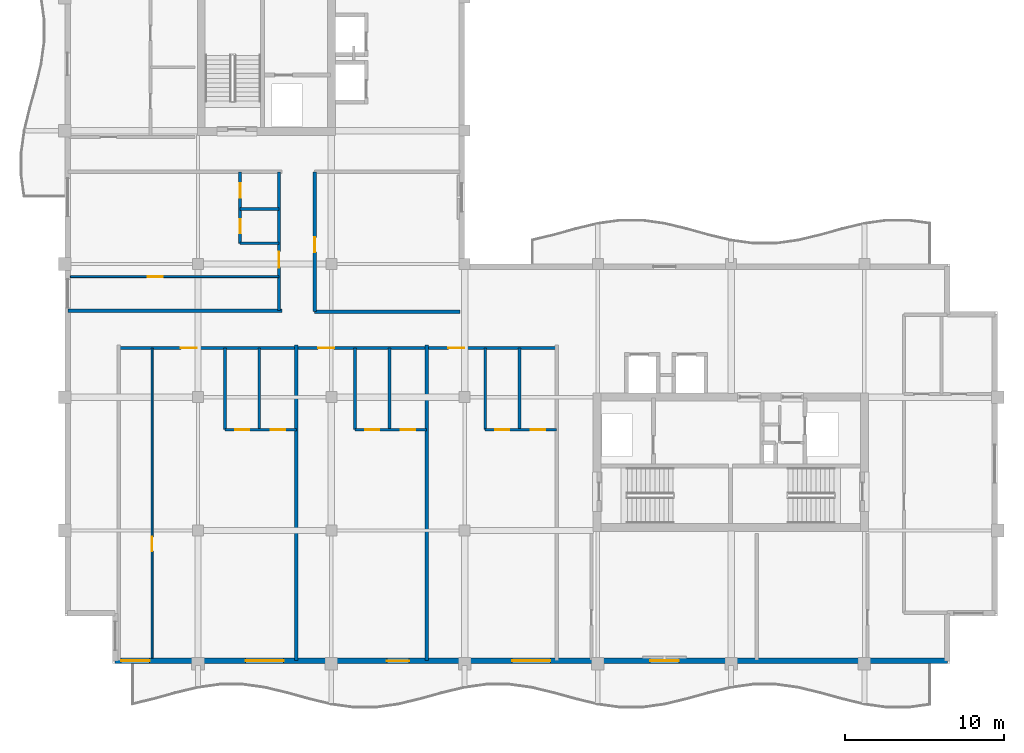
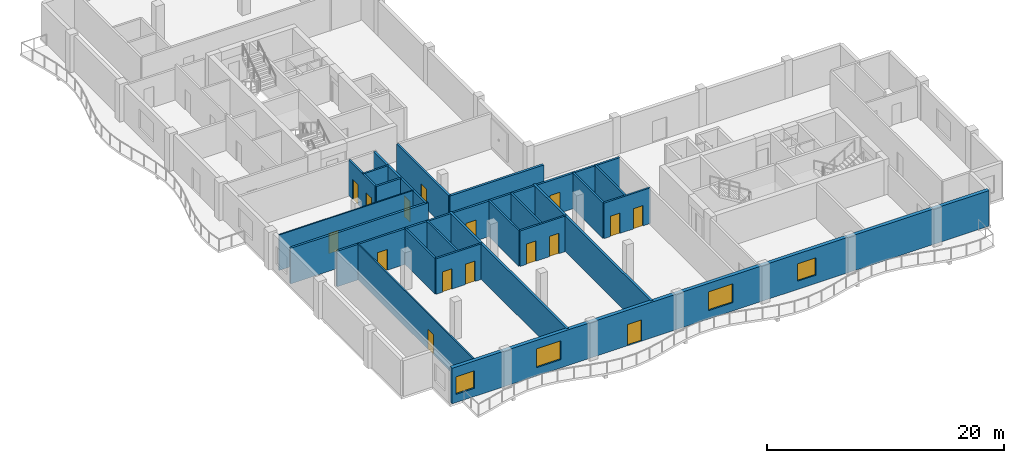
# One storey, part 3 of 11: 22 walls, 16 doors, 4 windows, 20 openings.
"""IFC4 building model written with IfcOpenShell, lengths in metres."""

from ifc_helpers import new_model, si_unit, direction, frame, frame_2d, origin, place, context, subcontext, project, spatial, rectangle, extrude, material, layer, layer_set, type_object, element, fill, save


model = new_model("IFC4")

# Units and contexts
model_context = context("Model", 3, precision=1e-05, world=origin(), true_north=direction((0.0, 1.0)))
body_context = subcontext(model_context, "Body", "Model", "MODEL_VIEW")
ifc_project = project(units=[si_unit("LENGTHUNIT", "METRE"), si_unit("AREAUNIT", "SQUARE_METRE"), si_unit("VOLUMEUNIT", "CUBIC_METRE"), si_unit("PLANEANGLEUNIT", "RADIAN"), si_unit("MASSUNIT", "GRAM", prefix="KILO")], contexts=[model_context])

# Site, building, storey
site_placement = place(None, origin())
site = spatial("IfcSite", under=ifc_project, at=site_placement, CompositionType="ELEMENT")
building_placement = place(site_placement, origin())
building = spatial("IfcBuilding", under=site, at=building_placement, Name="Koriwani Terraces Tower", CompositionType="ELEMENT")
storey_placement = place(building_placement, frame((0.0, 0.0, 312.5)))
storey = spatial("IfcBuildingStorey", under=building, at=storey_placement, Name="L77", CompositionType="ELEMENT", Elevation=312.5)

# Wall, opening, door
ifc_material_1 = material(Name="Autoclaved Cellular Concrete Blockwork", Category="masonry")
ifc_layer_1 = layer(ifc_material_1, 0.199951171875, Name="Autoclaved Cellular Concrete Blockwork")
ifc_layer_set_1 = layer_set([ifc_layer_1], Name="Autoclaved Cellular Concrete Blockwork")
wall_type_1 = type_object("IfcWallType", Name="WALL_CORRIDOR_200", PredefinedType="PARTITIONING", material=ifc_layer_set_1)
wall_1_placement = place(storey_placement, frame((24.14990234375, 30.60009765625, 0.0), z_axis=(0.0, 0.0, 1.0), x_axis=(0.0, 1.0, 0.0)))
wall_1 = element("IfcWall", 1, at=wall_1_placement, inside=storey, type_object=wall_type_1, Name="L77 Interior Wall WIC4W-L77", PredefinedType="PARTITIONING", context=body_context, shape_type="SweptSolid", body=[
    extrude(rectangle(XDim=8.7998046875, YDim=0.199951171875, at=frame_2d((4.39990234375, 0.0))), origin(), (0.0, 0.0, 1.0), 3.669921875),
])
opening_1_placement = place(wall_1_placement, frame((3.75, 0.0, 0.0)))
opening_1 = element("IfcOpeningElement", 2, at=opening_1_placement, cuts=wall_1, Name="Opening D-06", PredefinedType="OPENING", context=body_context, shape_type="SweptSolid", body=[
    extrude(rectangle(XDim=0.919921875, YDim=2.10009765625, at=frame_2d((0.4599609375, 1.050048828125))), frame((0.0, 0.10986328125, 0.0), z_axis=(0.0, -1.0, 0.0), x_axis=(1.0, 0.0, 0.0)), (0.0, 0.0, 1.0), 0.219970703125),
])
ifc_material_2 = material(Name="Architectural Oak Fire Door", Category="wood")
door_type_1 = type_object("IfcDoorType", Name="DOOR_ROOM_INT_920X2100", OperationType="NOTDEFINED", PredefinedType="DOOR", material=ifc_material_2)
door_1_placement = place(opening_1_placement, origin())
door_1 = element("IfcDoor", 3, at=door_1_placement, inside=storey, type_object=door_type_1, Name="L77 High-Rise Court Study Door", OperationType="SINGLE_SWING_LEFT", OverallHeight=2.10009765625, OverallWidth=0.919921875, PredefinedType="DOOR", context=body_context, shape_type="SweptSolid", body=[
    extrude(rectangle(XDim=0.919921875, YDim=2.10009765625, at=frame_2d((0.4599609375, 1.050048828125))), frame((0.0, 0.02490234375, 0.0), z_axis=(0.0, -1.0, 0.0), x_axis=(1.0, 0.0, 0.0)), (0.0, 0.0, 1.0), 0.050048828125),
])
fill(opening_1, door_1)

# Wall, openings, doors
wall_2_placement = place(storey_placement, frame((11.800048828125, 28.300048828125, 0.0), z_axis=(0.0, 0.0, 1.0), x_axis=(1.0, 0.0, 0.0)))
wall_2 = element("IfcWall", 4, at=wall_2_placement, inside=storey, type_object=wall_type_1, Name="L77 Interior Wall WRCOR-L77-SW-0", PredefinedType="PARTITIONING", context=body_context, shape_type="SweptSolid", body=[
    extrude(rectangle(XDim=27.599853515625, YDim=0.199951171875, at=frame_2d((13.7998046875, 0.0))), origin(), (0.0, 0.0, 1.0), 3.669921875),
])
opening_2_placement = place(wall_2_placement, frame((3.919921875, 0.0, 0.0)))
opening_2 = element("IfcOpeningElement", 5, at=opening_2_placement, cuts=wall_2, Name="Opening D-05", PredefinedType="OPENING", context=body_context, shape_type="SweptSolid", body=[
    extrude(rectangle(XDim=1.0, YDim=2.14990234375, at=frame_2d((0.5, 1.074951171875))), frame((0.0, 0.10986328125, 0.0), z_axis=(0.0, -1.0, 0.0), x_axis=(1.0, 0.0, 0.0)), (0.0, 0.0, 1.0), 0.219970703125),
])
opening_3_placement = place(wall_2_placement, frame((12.570068359375, 0.0, 0.0)))
opening_3 = element("IfcOpeningElement", 6, at=opening_3_placement, cuts=wall_2, Name="Opening D-05", PredefinedType="OPENING", context=body_context, shape_type="SweptSolid", body=[
    extrude(rectangle(XDim=1.0, YDim=2.14990234375, at=frame_2d((0.5, 1.074951171875))), frame((0.0, 0.10986328125, 0.0), z_axis=(0.0, -1.0, 0.0), x_axis=(1.0, 0.0, 0.0)), (0.0, 0.0, 1.0), 0.219970703125),
])
opening_4_placement = place(wall_2_placement, frame((20.77001953125, 0.0, 0.0)))
opening_4 = element("IfcOpeningElement", 7, at=opening_4_placement, cuts=wall_2, Name="Opening D-05", PredefinedType="OPENING", context=body_context, shape_type="SweptSolid", body=[
    extrude(rectangle(XDim=1.0, YDim=2.14990234375, at=frame_2d((0.5, 1.074951171875))), frame((0.0, 0.10986328125, 0.0), z_axis=(0.0, -1.0, 0.0), x_axis=(1.0, 0.0, 0.0)), (0.0, 0.0, 1.0), 0.219970703125),
])
door_type_2 = type_object("IfcDoorType", Name="DOOR_SUITE_ENTRY_1000X2150", OperationType="NOTDEFINED", PredefinedType="DOOR", material=ifc_material_2)
door_2_placement = place(opening_2_placement, origin())
door_2 = element("IfcDoor", 8, at=door_2_placement, inside=storey, type_object=door_type_2, Name="Apartment 77SW1 Entrance Door", OperationType="SINGLE_SWING_RIGHT", OverallHeight=2.14990234375, OverallWidth=1.0, PredefinedType="DOOR", context=body_context, shape_type="SweptSolid", body=[
    extrude(rectangle(XDim=1.0, YDim=2.14990234375, at=frame_2d((0.5, 1.074951171875))), frame((0.0, 0.02490234375, 0.0), z_axis=(0.0, -1.0, 0.0), x_axis=(1.0, 0.0, 0.0)), (0.0, 0.0, 1.0), 0.050048828125),
])
fill(opening_2, door_2)
door_3_placement = place(opening_3_placement, origin())
door_3 = element("IfcDoor", 9, at=door_3_placement, inside=storey, type_object=door_type_2, Name="Apartment 77SW2 Entrance Door", OperationType="SINGLE_SWING_RIGHT", OverallHeight=2.14990234375, OverallWidth=1.0, PredefinedType="DOOR", context=body_context, shape_type="SweptSolid", body=[
    extrude(rectangle(XDim=1.0, YDim=2.14990234375, at=frame_2d((0.5, 1.074951171875))), frame((0.0, 0.02490234375, 0.0), z_axis=(0.0, -1.0, 0.0), x_axis=(1.0, 0.0, 0.0)), (0.0, 0.0, 1.0), 0.050048828125),
])
fill(opening_3, door_3)
door_4_placement = place(opening_4_placement, origin())
door_4 = element("IfcDoor", 10, at=door_4_placement, inside=storey, type_object=door_type_2, Name="Apartment 77SW3 Entrance Door", OperationType="SINGLE_SWING_LEFT", OverallHeight=2.14990234375, OverallWidth=1.0, PredefinedType="DOOR", context=body_context, shape_type="SweptSolid", body=[
    extrude(rectangle(XDim=1.0, YDim=2.14990234375, at=frame_2d((0.5, 1.074951171875))), frame((0.0, 0.02490234375, 0.0), z_axis=(0.0, -1.0, 0.0), x_axis=(1.0, 0.0, 0.0)), (0.0, 0.0, 1.0), 0.050048828125),
])
fill(opening_4, door_4)

# Wall, opening, door
wall_3_placement = place(storey_placement, frame((21.89990234375, 30.64990234375, 0.0), z_axis=(0.0, 0.0, 1.0), x_axis=(0.0, 1.0, 0.0)))
wall_3 = element("IfcWall", 11, at=wall_3_placement, inside=storey, type_object=wall_type_1, Name="L77 Interior Wall WRCOR-L77-NE-0", PredefinedType="PARTITIONING", context=body_context, shape_type="SweptSolid", body=[
    extrude(rectangle(XDim=8.75, YDim=0.199951171875, at=frame_2d((4.375, 0.0))), origin(), (0.0, 0.0, 1.0), 3.669921875),
])
opening_5_placement = place(wall_3_placement, frame((2.719970703125, 0.0, 0.0)))
opening_5 = element("IfcOpeningElement", 12, at=opening_5_placement, cuts=wall_3, Name="Opening D-05", PredefinedType="OPENING", context=body_context, shape_type="SweptSolid", body=[
    extrude(rectangle(XDim=1.0, YDim=2.14990234375, at=frame_2d((0.5, 1.074951171875))), frame((0.0, 0.10986328125, 0.0), z_axis=(0.0, -1.0, 0.0), x_axis=(1.0, 0.0, 0.0)), (0.0, 0.0, 1.0), 0.219970703125),
])
door_5_placement = place(opening_5_placement, origin())
door_5 = element("IfcDoor", 13, at=door_5_placement, inside=storey, type_object=door_type_2, Name="Apartment 77NE1 Entrance Door", OperationType="SINGLE_SWING_RIGHT", OverallHeight=2.14990234375, OverallWidth=1.0, PredefinedType="DOOR", context=body_context, shape_type="SweptSolid", body=[
    extrude(rectangle(XDim=1.0, YDim=2.14990234375, at=frame_2d((0.5, 1.074951171875))), frame((0.0, 0.02490234375, 0.0), z_axis=(0.0, -1.0, 0.0), x_axis=(1.0, 0.0, 0.0)), (0.0, 0.0, 1.0), 0.050048828125),
])
fill(opening_5, door_5)

# Walls
ifc_layer_2 = layer(ifc_material_1, 0.219970703125, Name="Autoclaved Cellular Concrete Blockwork")
ifc_layer_set_2 = layer_set([ifc_layer_2], Name="Autoclaved Cellular Concrete Blockwork")
wall_type_2 = type_object("IfcWallType", Name="WALL_DEMISING_220", PredefinedType="PARTITIONING", material=ifc_layer_set_2)
wall_4_placement = place(storey_placement, frame((24.14990234375, 30.60009765625, 0.0), z_axis=(0.0, 0.0, 1.0), x_axis=(1.0, 0.0, 0.0)))
element("IfcWall", 14, at=wall_4_placement, inside=storey, type_object=wall_type_2, Name="L77 Interior Wall WIC4WS-L77", PredefinedType="PARTITIONING", context=body_context, shape_type="SweptSolid", body=[
    extrude(rectangle(XDim=9.150146484375, YDim=0.219970703125, at=frame_2d((4.5751953125, 0.0))), origin(), (0.0, 0.0, 1.0), 3.669921875),
])
for number, where, z_axis, x_axis, name in (
    (15, (23.0, 8.60009765625, 0.0), (0.0, 0.0, 1.0), (0.0, 1.0, 0.0), "L77 Interior Wall WRDEM-L77-SW-1"),
    (16, (31.199951171875, 8.60009765625, 0.0), (0.0, 0.0, 1.0), (0.0, 1.0, 0.0), "L77 Interior Wall WRDEM-L77-SW-2"),
):
    element("IfcWall", number, at=place(storey_placement, frame(where, z_axis=z_axis, x_axis=x_axis)), inside=storey, type_object=wall_type_2, Name=name, PredefinedType="PARTITIONING", context=body_context, shape_type="SweptSolid", body=[
        extrude(rectangle(XDim=19.8798828125, YDim=0.219970703125, at=frame_2d((9.93994140625, 0.0))), origin(), (0.0, 0.0, 1.0), 3.669921875),
    ])
wall_5_placement = place(storey_placement, frame((8.60009765625, 30.64990234375, 0.0), z_axis=(0.0, 0.0, 1.0), x_axis=(1.0, 0.0, 0.0)))
element("IfcWall", 17, at=wall_5_placement, inside=storey, type_object=wall_type_2, Name="L77 Interior Wall WRDEM-L77-NE-0", PredefinedType="PARTITIONING", context=body_context, shape_type="SweptSolid", body=[
    extrude(rectangle(XDim=13.47998046875, YDim=0.219970703125, at=frame_2d((6.739990234375, 0.0))), origin(), (0.0, 0.0, 1.0), 3.669921875),
])

# Wall, openings, door, windows
ifc_material_3 = material(Name="Concrete C50/60", Category="concrete")
ifc_layer_3 = layer(ifc_material_3, 0.35009765625, Name="Concrete C50/60")
ifc_layer_set_3 = layer_set([ifc_layer_3], Name="Concrete C50/60")
wall_type_3 = type_object("IfcWallType", Name="WALL_EXT_BRUTALIST_350", PredefinedType="STANDARD", material=ifc_layer_set_3)
wall_6_placement = place(storey_placement, frame((64.02490234375, 8.574951171875, 0.0), z_axis=(0.0, 0.0, 1.0), x_axis=(-1.0, 0.0, 0.0)))
wall_6 = element("IfcWall", 18, at=wall_6_placement, inside=storey, type_object=wall_type_3, Name="L77 Fair-Faced Brutalist Exterior Wall (S)", PredefinedType="STANDARD", context=body_context, shape_type="SweptSolid", body=[
    extrude(rectangle(XDim=52.449951171875, YDim=0.35009765625, at=frame_2d((26.22509765625, 0.0))), origin(), (0.0, 0.0, 1.0), 3.669921875),
])
opening_6_placement = place(wall_6_placement, frame((33.925048828125, 0.0, 0.0)))
opening_6 = element("IfcOpeningElement", 19, at=opening_6_placement, cuts=wall_6, Name="Opening D-09", PredefinedType="OPENING", context=body_context, shape_type="SweptSolid", body=[
    extrude(rectangle(XDim=1.39990234375, YDim=2.199951171875, at=frame_2d((0.699951171875, 1.10009765625))), frame((0.0, 0.18505859375, 0.0), z_axis=(0.0, -1.0, 0.0), x_axis=(1.0, 0.0, 0.0)), (0.0, 0.0, 1.0), 0.3701171875),
])
opening_7_placement = place(wall_6_placement, frame((41.824951171875, 0.0, 0.85009765625)))
opening_7 = element("IfcOpeningElement", 20, at=opening_7_placement, cuts=wall_6, Name="Opening W-03", PredefinedType="OPENING", context=body_context, shape_type="SweptSolid", body=[
    extrude(rectangle(XDim=2.39990234375, YDim=1.949951171875, at=frame_2d((1.199951171875, 0.97509765625))), frame((0.0, 0.18505859375, 0.0), z_axis=(0.0, -1.0, 0.0), x_axis=(1.0, 0.0, 0.0)), (0.0, 0.0, 1.0), 0.3701171875),
])
opening_8_placement = place(wall_6_placement, frame((25.02490234375, 0.0, 0.85009765625)))
opening_8 = element("IfcOpeningElement", 21, at=opening_8_placement, cuts=wall_6, Name="Opening W-03", PredefinedType="OPENING", context=body_context, shape_type="SweptSolid", body=[
    extrude(rectangle(XDim=2.39990234375, YDim=1.949951171875, at=frame_2d((1.199951171875, 0.97509765625))), frame((0.0, 0.18505859375, 0.0), z_axis=(0.0, -1.0, 0.0), x_axis=(1.0, 0.0, 0.0)), (0.0, 0.0, 1.0), 0.3701171875),
])
opening_9_placement = place(wall_6_placement, frame((16.925048828125, 0.0, 0.85009765625)))
opening_9 = element("IfcOpeningElement", 22, at=opening_9_placement, cuts=wall_6, Name="Opening W-04", PredefinedType="OPENING", context=body_context, shape_type="SweptSolid", body=[
    extrude(rectangle(XDim=1.800048828125, YDim=1.800048828125, at=frame_2d((0.89990234375, 0.89990234375))), frame((0.0, 0.18505859375, 0.0), z_axis=(0.0, -1.0, 0.0), x_axis=(1.0, 0.0, 0.0)), (0.0, 0.0, 1.0), 0.3701171875),
])
opening_10_placement = place(wall_6_placement, frame((50.27490234375, 0.0, 0.85009765625)))
opening_10 = element("IfcOpeningElement", 23, at=opening_10_placement, cuts=wall_6, Name="Opening W-04", PredefinedType="OPENING", context=body_context, shape_type="SweptSolid", body=[
    extrude(rectangle(XDim=1.800048828125, YDim=1.800048828125, at=frame_2d((0.89990234375, 0.89990234375))), frame((0.0, 0.18505859375, 0.0), z_axis=(0.0, -1.0, 0.0), x_axis=(1.0, 0.0, 0.0)), (0.0, 0.0, 1.0), 0.3701171875),
])
ifc_material_4 = material(Name="Anodised Bronze Aluminium", Category="aluminium")
door_type_3 = type_object("IfcDoorType", Name="DOOR_BALCONY_GLAZED_1400X2200", OperationType="NOTDEFINED", PredefinedType="DOOR", material=ifc_material_4)
door_6_placement = place(opening_6_placement, origin())
door_6 = element("IfcDoor", 24, at=door_6_placement, inside=storey, type_object=door_type_3, Name="L77 South Balcony Glazed Door", OperationType="SINGLE_SWING_LEFT", OverallHeight=2.199951171875, OverallWidth=1.39990234375, PredefinedType="DOOR", context=body_context, shape_type="SweptSolid", body=[
    extrude(rectangle(XDim=1.39990234375, YDim=2.199951171875, at=frame_2d((0.699951171875, 1.10009765625))), frame((0.0, 0.02490234375, 0.0), z_axis=(0.0, -1.0, 0.0), x_axis=(1.0, 0.0, 0.0)), (0.0, 0.0, 1.0), 0.050048828125),
])
fill(opening_6, door_6)
ifc_material_5 = material(Name="Tempered Laminated Low-E Glass", Category="glass")
window_type_1 = type_object("IfcWindowType", Name="WIN_RES_BED_1800X1800", PartitioningType="DOUBLE_PANEL_VERTICAL", PredefinedType="WINDOW", material=ifc_material_5)
window_1_placement = place(opening_9_placement, origin())
window_1 = element("IfcWindow", 25, at=window_1_placement, inside=storey, type_object=window_type_1, Name="L77 Exterior Window (S-12)", OverallHeight=1.800048828125, OverallWidth=1.800048828125, PartitioningType="SINGLE_PANEL", PredefinedType="WINDOW", context=body_context, shape_type="SweptSolid", body=[
    extrude(rectangle(XDim=1.800048828125, YDim=1.800048828125, at=frame_2d((0.89990234375, 0.89990234375))), frame((0.0, 0.030029296875, 0.0), z_axis=(0.0, -1.0, 0.0), x_axis=(1.0, 0.0, 0.0)), (0.0, 0.0, 1.0), 0.06005859375),
])
fill(opening_9, window_1)
window_2_placement = place(opening_10_placement, origin())
window_2 = element("IfcWindow", 26, at=window_2_placement, inside=storey, type_object=window_type_1, Name="L77 Exterior Window (S-R33)", OverallHeight=1.800048828125, OverallWidth=1.800048828125, PartitioningType="SINGLE_PANEL", PredefinedType="WINDOW", context=body_context, shape_type="SweptSolid", body=[
    extrude(rectangle(XDim=1.800048828125, YDim=1.800048828125, at=frame_2d((0.89990234375, 0.89990234375))), frame((0.0, 0.030029296875, 0.0), z_axis=(0.0, -1.0, 0.0), x_axis=(1.0, 0.0, 0.0)), (0.0, 0.0, 1.0), 0.06005859375),
])
fill(opening_10, window_2)
window_type_2 = type_object("IfcWindowType", Name="WIN_RES_LIVING_2400X1950", PartitioningType="DOUBLE_PANEL_VERTICAL", PredefinedType="WINDOW", material=ifc_material_5)
window_3_placement = place(opening_7_placement, origin())
window_3 = element("IfcWindow", 27, at=window_3_placement, inside=storey, type_object=window_type_2, Name="L77 Exterior Window (S-3)", OverallHeight=1.949951171875, OverallWidth=2.39990234375, PartitioningType="SINGLE_PANEL", PredefinedType="WINDOW", context=body_context, shape_type="SweptSolid", body=[
    extrude(rectangle(XDim=2.39990234375, YDim=1.949951171875, at=frame_2d((1.199951171875, 0.97509765625))), frame((0.0, 0.030029296875, 0.0), z_axis=(0.0, -1.0, 0.0), x_axis=(1.0, 0.0, 0.0)), (0.0, 0.0, 1.0), 0.06005859375),
])
fill(opening_7, window_3)
window_4_placement = place(opening_8_placement, origin())
window_4 = element("IfcWindow", 28, at=window_4_placement, inside=storey, type_object=window_type_2, Name="L77 Exterior Window (S-9)", OverallHeight=1.949951171875, OverallWidth=2.39990234375, PartitioningType="SINGLE_PANEL", PredefinedType="WINDOW", context=body_context, shape_type="SweptSolid", body=[
    extrude(rectangle(XDim=2.39990234375, YDim=1.949951171875, at=frame_2d((1.199951171875, 0.97509765625))), frame((0.0, 0.030029296875, 0.0), z_axis=(0.0, -1.0, 0.0), x_axis=(1.0, 0.0, 0.0)), (0.0, 0.0, 1.0), 0.06005859375),
])
fill(opening_8, window_4)

# Wall, opening, door
ifc_material_6 = material(Name="Fire-Rated Acoustic Gypsum Partition", Category="masonry")
ifc_layer_4 = layer(ifc_material_6, 0.125, Name="Fire-Rated Acoustic Gypsum Partition")
ifc_layer_set_4 = layer_set([ifc_layer_4], Name="Fire-Rated Acoustic Gypsum Partition")
wall_type_4 = type_object("IfcWallType", Name="WALL_INT_125", PredefinedType="PARTITIONING", material=ifc_layer_set_4)
wall_7_placement = place(storey_placement, frame((13.89990234375, 8.75, 0.0), z_axis=(0.0, 0.0, 1.0), x_axis=(0.0, 1.0, 0.0)))
wall_7 = element("IfcWall", 29, at=wall_7_placement, inside=storey, type_object=wall_type_4, Name="L77 Interior Wall WRBED1-L77-SW-0", PredefinedType="PARTITIONING", context=body_context, shape_type="SweptSolid", body=[
    extrude(rectangle(XDim=19.550048828125, YDim=0.125, at=frame_2d((9.77490234375, 0.0))), origin(), (0.0, 0.0, 1.0), 3.669921875),
])
opening_11_placement = place(wall_7_placement, frame((6.739990234375, 0.0, 0.0)))
opening_11 = element("IfcOpeningElement", 30, at=opening_11_placement, cuts=wall_7, Name="Opening D-06", PredefinedType="OPENING", context=body_context, shape_type="SweptSolid", body=[
    extrude(rectangle(XDim=0.919921875, YDim=2.10009765625, at=frame_2d((0.4599609375, 1.050048828125))), frame((0.0, 0.072509765625, 0.0), z_axis=(0.0, -1.0, 0.0), x_axis=(1.0, 0.0, 0.0)), (0.0, 0.0, 1.0), 0.14501953125),
])
door_7_placement = place(opening_11_placement, origin())
door_7 = element("IfcDoor", 31, at=door_7_placement, inside=storey, type_object=door_type_1, Name="Apartment 77SW1 Master Bedroom Door", OperationType="SINGLE_SWING_LEFT", OverallHeight=2.10009765625, OverallWidth=0.919921875, PredefinedType="DOOR", context=body_context, shape_type="SweptSolid", body=[
    extrude(rectangle(XDim=0.919921875, YDim=2.10009765625, at=frame_2d((0.4599609375, 1.050048828125))), frame((0.0, 0.02490234375, 0.0), z_axis=(0.0, -1.0, 0.0), x_axis=(1.0, 0.0, 0.0)), (0.0, 0.0, 1.0), 0.050048828125),
])
fill(opening_11, door_7)

wall_8_placement = place(storey_placement, frame((8.75, 32.800048828125, 0.0), z_axis=(0.0, 0.0, 1.0), x_axis=(1.0, 0.0, 0.0)))
wall_8 = element("IfcWall", 32, at=wall_8_placement, inside=storey, type_object=wall_type_4, Name="L77 Interior Wall WRBED1-L77-NE-0", PredefinedType="PARTITIONING", context=body_context, shape_type="SweptSolid", body=[
    extrude(rectangle(XDim=13.14990234375, YDim=0.125, at=frame_2d((6.574951171875, 0.0))), origin(), (0.0, 0.0, 1.0), 3.669921875),
])
opening_12_placement = place(wall_8_placement, frame((4.889892578125, 0.0, 0.0)))
opening_12 = element("IfcOpeningElement", 33, at=opening_12_placement, cuts=wall_8, Name="Opening D-06", PredefinedType="OPENING", context=body_context, shape_type="SweptSolid", body=[
    extrude(rectangle(XDim=0.919921875, YDim=2.10009765625, at=frame_2d((0.4599609375, 1.050048828125))), frame((0.0, 0.072509765625, 0.0), z_axis=(0.0, -1.0, 0.0), x_axis=(1.0, 0.0, 0.0)), (0.0, 0.0, 1.0), 0.14501953125),
])
door_8_placement = place(opening_12_placement, origin())
door_8 = element("IfcDoor", 34, at=door_8_placement, inside=storey, type_object=door_type_1, Name="Apartment 77NE1 Master Bedroom Door", OperationType="SINGLE_SWING_LEFT", OverallHeight=2.10009765625, OverallWidth=0.919921875, PredefinedType="DOOR", context=body_context, shape_type="SweptSolid", body=[
    extrude(rectangle(XDim=0.919921875, YDim=2.10009765625, at=frame_2d((0.4599609375, 1.050048828125))), frame((0.0, 0.02490234375, 0.0), z_axis=(0.0, -1.0, 0.0), x_axis=(1.0, 0.0, 0.0)), (0.0, 0.0, 1.0), 0.050048828125),
])
fill(opening_12, door_8)

# Wall, openings, doors
ifc_layer_5 = layer(ifc_material_6, 0.179931640625, Name="Fire-Rated Acoustic Gypsum Partition")
ifc_layer_set_5 = layer_set([ifc_layer_5], Name="Fire-Rated Acoustic Gypsum Partition")
wall_type_5 = type_object("IfcWallType", Name="WALL_PLUMBING_180", PredefinedType="PLUMBINGWALL", material=ifc_layer_set_5)
wall_9_placement = place(storey_placement, frame((18.5, 23.14990234375, 0.0), z_axis=(0.0, 0.0, 1.0), x_axis=(1.0, 0.0, 0.0)))
wall_9 = element("IfcWall", 35, at=wall_9_placement, inside=storey, type_object=wall_type_5, Name="L77 Interior Wall WRSVC-L77-SW-0", PredefinedType="PLUMBINGWALL", context=body_context, shape_type="SweptSolid", body=[
    extrude(rectangle(XDim=4.5, YDim=0.179931640625, at=frame_2d((2.25, 0.0))), origin(), (0.0, 0.0, 1.0), 3.669921875),
])
opening_13_placement = place(wall_9_placement, frame((0.6298828125, 0.0, 0.0)))
opening_13 = element("IfcOpeningElement", 36, at=opening_13_placement, cuts=wall_9, Name="Opening D-07", PredefinedType="OPENING", context=body_context, shape_type="SweptSolid", body=[
    extrude(rectangle(XDim=0.89990234375, YDim=2.10009765625, at=frame_2d((0.449951171875, 1.050048828125))), frame((0.0, 0.10009765625, 0.0), z_axis=(0.0, -1.0, 0.0), x_axis=(1.0, 0.0, 0.0)), (0.0, 0.0, 1.0), 0.199951171875),
])
opening_14_placement = place(wall_9_placement, frame((2.8701171875, 0.0, 0.0)))
opening_14 = element("IfcOpeningElement", 37, at=opening_14_placement, cuts=wall_9, Name="Opening D-06", PredefinedType="OPENING", context=body_context, shape_type="SweptSolid", body=[
    extrude(rectangle(XDim=0.919921875, YDim=2.10009765625, at=frame_2d((0.4599609375, 1.050048828125))), frame((0.0, 0.10009765625, 0.0), z_axis=(0.0, -1.0, 0.0), x_axis=(1.0, 0.0, 0.0)), (0.0, 0.0, 1.0), 0.199951171875),
])
door_type_4 = type_object("IfcDoorType", Name="DOOR_BATH_INT_900X2100", OperationType="NOTDEFINED", PredefinedType="DOOR", material=ifc_material_2)
door_9_placement = place(opening_13_placement, origin())
door_9 = element("IfcDoor", 38, at=door_9_placement, inside=storey, type_object=door_type_4, Name="Apartment 77SW1 Bathroom Door", OperationType="SINGLE_SWING_LEFT", OverallHeight=2.10009765625, OverallWidth=0.89990234375, PredefinedType="DOOR", context=body_context, shape_type="SweptSolid", body=[
    extrude(rectangle(XDim=0.89990234375, YDim=2.10009765625, at=frame_2d((0.449951171875, 1.050048828125))), frame((0.0, 0.02490234375, 0.0), z_axis=(0.0, -1.0, 0.0), x_axis=(1.0, 0.0, 0.0)), (0.0, 0.0, 1.0), 0.050048828125),
])
fill(opening_13, door_9)
door_10_placement = place(opening_14_placement, origin())
door_10 = element("IfcDoor", 39, at=door_10_placement, inside=storey, type_object=door_type_1, Name="Apartment 77SW1 Kitchen Door", OperationType="SINGLE_SWING_RIGHT", OverallHeight=2.10009765625, OverallWidth=0.919921875, PredefinedType="DOOR", context=body_context, shape_type="SweptSolid", body=[
    extrude(rectangle(XDim=0.919921875, YDim=2.10009765625, at=frame_2d((0.4599609375, 1.050048828125))), frame((0.0, 0.02490234375, 0.0), z_axis=(0.0, -1.0, 0.0), x_axis=(1.0, 0.0, 0.0)), (0.0, 0.0, 1.0), 0.050048828125),
])
fill(opening_14, door_10)

# Walls
for number, where, z_axis, x_axis, name in (
    (40, (18.5, 23.14990234375, 0.0), (0.0, 0.0, 1.0), (0.0, 1.0, 0.0), "L77 Interior Wall WRSVCS-L77-SW-0"),
    (41, (20.659912109375, 23.14990234375, 0.0), (0.0, 0.0, 1.0), (0.0, 1.0, 0.0), "L77 Interior Wall WRSVCM-L77-SW-0"),
):
    element("IfcWall", number, at=place(storey_placement, frame(where, z_axis=z_axis, x_axis=x_axis)), inside=storey, type_object=wall_type_5, Name=name, PredefinedType="PLUMBINGWALL", context=body_context, shape_type="SweptSolid", body=[
        extrude(rectangle(XDim=5.150146484375, YDim=0.179931640625, at=frame_2d((2.5751953125, 0.0))), origin(), (0.0, 0.0, 1.0), 3.669921875),
    ])

# Wall, openings, doors
wall_10_placement = place(storey_placement, frame((26.699951171875, 23.14990234375, 0.0), z_axis=(0.0, 0.0, 1.0), x_axis=(1.0, 0.0, 0.0)))
wall_10 = element("IfcWall", 42, at=wall_10_placement, inside=storey, type_object=wall_type_5, Name="L77 Interior Wall WRSVC-L77-SW-1", PredefinedType="PLUMBINGWALL", context=body_context, shape_type="SweptSolid", body=[
    extrude(rectangle(XDim=4.5, YDim=0.179931640625, at=frame_2d((2.25, 0.0))), origin(), (0.0, 0.0, 1.0), 3.669921875),
])
opening_15_placement = place(wall_10_placement, frame((0.6298828125, 0.0, 0.0)))
opening_15 = element("IfcOpeningElement", 43, at=opening_15_placement, cuts=wall_10, Name="Opening D-07", PredefinedType="OPENING", context=body_context, shape_type="SweptSolid", body=[
    extrude(rectangle(XDim=0.89990234375, YDim=2.10009765625, at=frame_2d((0.449951171875, 1.050048828125))), frame((0.0, 0.10009765625, 0.0), z_axis=(0.0, -1.0, 0.0), x_axis=(1.0, 0.0, 0.0)), (0.0, 0.0, 1.0), 0.199951171875),
])
opening_16_placement = place(wall_10_placement, frame((2.8701171875, 0.0, 0.0)))
opening_16 = element("IfcOpeningElement", 44, at=opening_16_placement, cuts=wall_10, Name="Opening D-06", PredefinedType="OPENING", context=body_context, shape_type="SweptSolid", body=[
    extrude(rectangle(XDim=0.919921875, YDim=2.10009765625, at=frame_2d((0.4599609375, 1.050048828125))), frame((0.0, 0.10009765625, 0.0), z_axis=(0.0, -1.0, 0.0), x_axis=(1.0, 0.0, 0.0)), (0.0, 0.0, 1.0), 0.199951171875),
])
door_11_placement = place(opening_15_placement, origin())
door_11 = element("IfcDoor", 45, at=door_11_placement, inside=storey, type_object=door_type_4, Name="Apartment 77SW2 Bathroom Door", OperationType="SINGLE_SWING_LEFT", OverallHeight=2.10009765625, OverallWidth=0.89990234375, PredefinedType="DOOR", context=body_context, shape_type="SweptSolid", body=[
    extrude(rectangle(XDim=0.89990234375, YDim=2.10009765625, at=frame_2d((0.449951171875, 1.050048828125))), frame((0.0, 0.02490234375, 0.0), z_axis=(0.0, -1.0, 0.0), x_axis=(1.0, 0.0, 0.0)), (0.0, 0.0, 1.0), 0.050048828125),
])
fill(opening_15, door_11)
door_12_placement = place(opening_16_placement, origin())
door_12 = element("IfcDoor", 46, at=door_12_placement, inside=storey, type_object=door_type_1, Name="Apartment 77SW2 Kitchen Door", OperationType="SINGLE_SWING_RIGHT", OverallHeight=2.10009765625, OverallWidth=0.919921875, PredefinedType="DOOR", context=body_context, shape_type="SweptSolid", body=[
    extrude(rectangle(XDim=0.919921875, YDim=2.10009765625, at=frame_2d((0.4599609375, 1.050048828125))), frame((0.0, 0.02490234375, 0.0), z_axis=(0.0, -1.0, 0.0), x_axis=(1.0, 0.0, 0.0)), (0.0, 0.0, 1.0), 0.050048828125),
])
fill(opening_16, door_12)

# Walls
for number, where, z_axis, x_axis, name in (
    (47, (26.699951171875, 23.14990234375, 0.0), (0.0, 0.0, 1.0), (0.0, 1.0, 0.0), "L77 Interior Wall WRSVCS-L77-SW-1"),
    (48, (28.860107421875, 23.14990234375, 0.0), (0.0, 0.0, 1.0), (0.0, 1.0, 0.0), "L77 Interior Wall WRSVCM-L77-SW-1"),
):
    element("IfcWall", number, at=place(storey_placement, frame(where, z_axis=z_axis, x_axis=x_axis)), inside=storey, type_object=wall_type_5, Name=name, PredefinedType="PLUMBINGWALL", context=body_context, shape_type="SweptSolid", body=[
        extrude(rectangle(XDim=5.150146484375, YDim=0.179931640625, at=frame_2d((2.5751953125, 0.0))), origin(), (0.0, 0.0, 1.0), 3.669921875),
    ])

# Wall, openings, doors
wall_11_placement = place(storey_placement, frame((34.89990234375, 23.14990234375, 0.0), z_axis=(0.0, 0.0, 1.0), x_axis=(1.0, 0.0, 0.0)))
wall_11 = element("IfcWall", 49, at=wall_11_placement, inside=storey, type_object=wall_type_5, Name="L77 Interior Wall WRSVC-L77-SW-2", PredefinedType="PLUMBINGWALL", context=body_context, shape_type="SweptSolid", body=[
    extrude(rectangle(XDim=4.5, YDim=0.179931640625, at=frame_2d((2.25, 0.0))), origin(), (0.0, 0.0, 1.0), 3.669921875),
])
opening_17_placement = place(wall_11_placement, frame((0.6298828125, 0.0, 0.0)))
opening_17 = element("IfcOpeningElement", 50, at=opening_17_placement, cuts=wall_11, Name="Opening D-07", PredefinedType="OPENING", context=body_context, shape_type="SweptSolid", body=[
    extrude(rectangle(XDim=0.89990234375, YDim=2.10009765625, at=frame_2d((0.449951171875, 1.050048828125))), frame((0.0, 0.10009765625, 0.0), z_axis=(0.0, -1.0, 0.0), x_axis=(1.0, 0.0, 0.0)), (0.0, 0.0, 1.0), 0.199951171875),
])
opening_18_placement = place(wall_11_placement, frame((2.8701171875, 0.0, 0.0)))
opening_18 = element("IfcOpeningElement", 51, at=opening_18_placement, cuts=wall_11, Name="Opening D-06", PredefinedType="OPENING", context=body_context, shape_type="SweptSolid", body=[
    extrude(rectangle(XDim=0.919921875, YDim=2.10009765625, at=frame_2d((0.4599609375, 1.050048828125))), frame((0.0, 0.10009765625, 0.0), z_axis=(0.0, -1.0, 0.0), x_axis=(1.0, 0.0, 0.0)), (0.0, 0.0, 1.0), 0.199951171875),
])
door_13_placement = place(opening_17_placement, origin())
door_13 = element("IfcDoor", 52, at=door_13_placement, inside=storey, type_object=door_type_4, Name="Apartment 77SW3 Bathroom Door", OperationType="SINGLE_SWING_RIGHT", OverallHeight=2.10009765625, OverallWidth=0.89990234375, PredefinedType="DOOR", context=body_context, shape_type="SweptSolid", body=[
    extrude(rectangle(XDim=0.89990234375, YDim=2.10009765625, at=frame_2d((0.449951171875, 1.050048828125))), frame((0.0, 0.02490234375, 0.0), z_axis=(0.0, -1.0, 0.0), x_axis=(1.0, 0.0, 0.0)), (0.0, 0.0, 1.0), 0.050048828125),
])
fill(opening_17, door_13)
door_14_placement = place(opening_18_placement, origin())
door_14 = element("IfcDoor", 53, at=door_14_placement, inside=storey, type_object=door_type_1, Name="Apartment 77SW3 Kitchen Door", OperationType="SINGLE_SWING_LEFT", OverallHeight=2.10009765625, OverallWidth=0.919921875, PredefinedType="DOOR", context=body_context, shape_type="SweptSolid", body=[
    extrude(rectangle(XDim=0.919921875, YDim=2.10009765625, at=frame_2d((0.4599609375, 1.050048828125))), frame((0.0, 0.02490234375, 0.0), z_axis=(0.0, -1.0, 0.0), x_axis=(1.0, 0.0, 0.0)), (0.0, 0.0, 1.0), 0.050048828125),
])
fill(opening_18, door_14)

# Walls
for number, where, z_axis, x_axis, name in (
    (54, (34.89990234375, 23.14990234375, 0.0), (0.0, 0.0, 1.0), (0.0, 1.0, 0.0), "L77 Interior Wall WRSVCS-L77-SW-2"),
    (55, (37.06005859375, 23.14990234375, 0.0), (0.0, 0.0, 1.0), (0.0, 1.0, 0.0), "L77 Interior Wall WRSVCM-L77-SW-2"),
):
    element("IfcWall", number, at=place(storey_placement, frame(where, z_axis=z_axis, x_axis=x_axis)), inside=storey, type_object=wall_type_5, Name=name, PredefinedType="PLUMBINGWALL", context=body_context, shape_type="SweptSolid", body=[
        extrude(rectangle(XDim=5.150146484375, YDim=0.179931640625, at=frame_2d((2.5751953125, 0.0))), origin(), (0.0, 0.0, 1.0), 3.669921875),
    ])

# Wall, openings, doors
wall_12_placement = place(storey_placement, frame((19.449951171875, 34.89990234375, 0.0), z_axis=(0.0, 0.0, 1.0), x_axis=(0.0, 1.0, 0.0)))
wall_12 = element("IfcWall", 56, at=wall_12_placement, inside=storey, type_object=wall_type_5, Name="L77 Interior Wall WRSVC-L77-NE-0", PredefinedType="PLUMBINGWALL", context=body_context, shape_type="SweptSolid", body=[
    extrude(rectangle(XDim=4.5, YDim=0.179931640625, at=frame_2d((2.25, 0.0))), origin(), (0.0, 0.0, 1.0), 3.669921875),
])
opening_19_placement = place(wall_12_placement, frame((0.6298828125, 0.0, 0.0)))
opening_19 = element("IfcOpeningElement", 57, at=opening_19_placement, cuts=wall_12, Name="Opening D-07", PredefinedType="OPENING", context=body_context, shape_type="SweptSolid", body=[
    extrude(rectangle(XDim=0.89990234375, YDim=2.10009765625, at=frame_2d((0.449951171875, 1.050048828125))), frame((0.0, 0.10009765625, 0.0), z_axis=(0.0, -1.0, 0.0), x_axis=(1.0, 0.0, 0.0)), (0.0, 0.0, 1.0), 0.199951171875),
])
opening_20_placement = place(wall_12_placement, frame((2.8701171875, 0.0, 0.0)))
opening_20 = element("IfcOpeningElement", 58, at=opening_20_placement, cuts=wall_12, Name="Opening D-06", PredefinedType="OPENING", context=body_context, shape_type="SweptSolid", body=[
    extrude(rectangle(XDim=0.919921875, YDim=2.10009765625, at=frame_2d((0.4599609375, 1.050048828125))), frame((0.0, 0.10009765625, 0.0), z_axis=(0.0, -1.0, 0.0), x_axis=(1.0, 0.0, 0.0)), (0.0, 0.0, 1.0), 0.199951171875),
])
door_15_placement = place(opening_19_placement, origin())
door_15 = element("IfcDoor", 59, at=door_15_placement, inside=storey, type_object=door_type_4, Name="Apartment 77NE1 Bathroom Door", OperationType="SINGLE_SWING_LEFT", OverallHeight=2.10009765625, OverallWidth=0.89990234375, PredefinedType="DOOR", context=body_context, shape_type="SweptSolid", body=[
    extrude(rectangle(XDim=0.89990234375, YDim=2.10009765625, at=frame_2d((0.449951171875, 1.050048828125))), frame((0.0, 0.02490234375, 0.0), z_axis=(0.0, -1.0, 0.0), x_axis=(1.0, 0.0, 0.0)), (0.0, 0.0, 1.0), 0.050048828125),
])
fill(opening_19, door_15)
door_16_placement = place(opening_20_placement, origin())
door_16 = element("IfcDoor", 60, at=door_16_placement, inside=storey, type_object=door_type_1, Name="Apartment 77NE1 Kitchen Door", OperationType="SINGLE_SWING_RIGHT", OverallHeight=2.10009765625, OverallWidth=0.919921875, PredefinedType="DOOR", context=body_context, shape_type="SweptSolid", body=[
    extrude(rectangle(XDim=0.919921875, YDim=2.10009765625, at=frame_2d((0.4599609375, 1.050048828125))), frame((0.0, 0.02490234375, 0.0), z_axis=(0.0, -1.0, 0.0), x_axis=(1.0, 0.0, 0.0)), (0.0, 0.0, 1.0), 0.050048828125),
])
fill(opening_20, door_16)

# Walls
for number, where, z_axis, x_axis, name in (
    (61, (19.449951171875, 34.89990234375, 0.0), (0.0, 0.0, 1.0), (1.0, 0.0, 0.0), "L77 Interior Wall WRSVCS-L77-NE-0"),
    (62, (19.449951171875, 37.06005859375, 0.0), (0.0, 0.0, 1.0), (1.0, 0.0, 0.0), "L77 Interior Wall WRSVCM-L77-NE-0"),
):
    element("IfcWall", number, at=place(storey_placement, frame(where, z_axis=z_axis, x_axis=x_axis)), inside=storey, type_object=wall_type_5, Name=name, PredefinedType="PLUMBINGWALL", context=body_context, shape_type="SweptSolid", body=[
        extrude(rectangle(XDim=2.449951171875, YDim=0.179931640625, at=frame_2d((1.22509765625, 0.0))), origin(), (0.0, 0.0, 1.0), 3.669921875),
    ])

save(model, "model.ifc")
